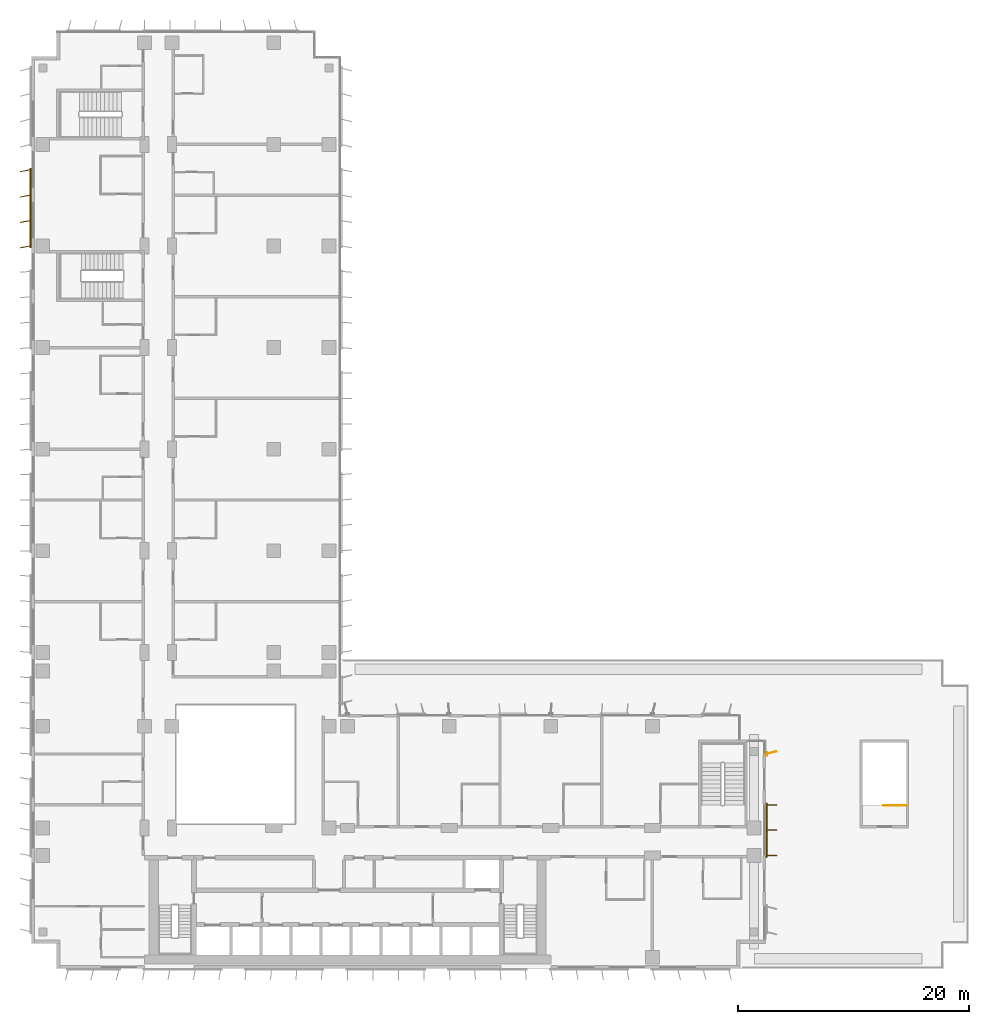
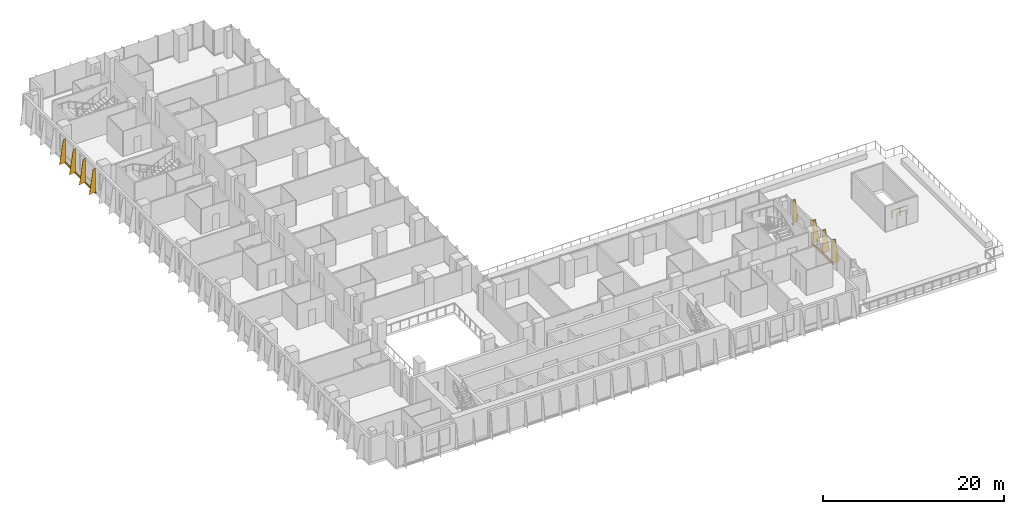
# One storey, part 26 of 27: 3 shading devices, 1 railing.
"""IFC4 building model written with IfcOpenShell, lengths in metres."""

from ifc_helpers import new_model, si_unit, direction, frame, origin, origin_2d, place, context, subcontext, project, spatial, polyline, rectangle, circle, outline, extrude, source, transform, mapped, material, layer, layer_set, type_object, element, save


model = new_model("IFC4")

# Units and contexts
model_context = context("Model", 3, precision=1e-05, world=origin(), true_north=direction((0.0, 1.0)))
body_context = subcontext(model_context, "Body", "Model", "MODEL_VIEW")
ifc_project = project(units=[si_unit("LENGTHUNIT", "METRE"), si_unit("AREAUNIT", "SQUARE_METRE"), si_unit("VOLUMEUNIT", "CUBIC_METRE"), si_unit("PLANEANGLEUNIT", "RADIAN"), si_unit("MASSUNIT", "GRAM", prefix="KILO")], contexts=[model_context])

# Site, building, storey
site_placement = place(None, origin())
site = spatial("IfcSite", under=ifc_project, at=site_placement, CompositionType="ELEMENT")
building_placement = place(site_placement, origin())
building = spatial("IfcBuilding", under=site, at=building_placement, Name="Kemantara Hotel Tower", CompositionType="ELEMENT")
storey_placement = place(building_placement, frame((0.0, 0.0, 83.39990234375)))
storey = spatial("IfcBuildingStorey", under=building, at=storey_placement, Name="L19", CompositionType="ELEMENT", Elevation=83.39990234375)

# Railing
ifc_material_1 = material(Name="Stainless steel balustrade", Category="steel")
railing_type = type_object("IfcRailingType", Name="Stair guard 1100 mm", PredefinedType="GUARDRAIL", material=ifc_material_1)
railing_placement = place(storey_placement, frame((75.800048828125, 14.14990234375, 0.0)))
element("IfcRailing", 1, at=railing_placement, inside=storey, type_object=railing_type, Name="L19 ST5 top well guard 1", PredefinedType="GUARDRAIL", context=body_context, shape_type="SweptSolid", body=[
    extrude(circle(Radius=0.02392578125, at=origin_2d()), frame((0.0, 0.0, 1.076171875), z_axis=(-1.0, 0.0, 0.0), x_axis=(0.0, -1.0, 0.0)), (0.0, 0.0, 1.0), 2.0),
    extrude(circle(Radius=0.02099609375, at=origin_2d()), origin(), (0.0, 0.0, 1.0), 1.052001953125),
    extrude(circle(Radius=0.02099609375, at=origin_2d()), frame((-1.0, 0.0, 0.0)), (0.0, 0.0, 1.0), 1.052001953125),
    extrude(circle(Radius=0.02099609375, at=origin_2d()), frame((-2.0, 0.0, 0.0)), (0.0, 0.0, 1.0), 1.052001953125),
])

# Shading devices
ifc_material_2 = material(Name="Perforated aluminium plate 4 mm bronze anodised", Category="aluminium")
ifc_layer_1 = layer(ifc_material_2, 0.0400390625)
ifc_layer_set_1 = layer_set([ifc_layer_1], Name="Perforated aluminium plate 4 mm bronze anodised")
shading_device_type_1 = type_object("IfcShadingDeviceType", Name="SCREEN FIN CASSETTE, 4 BLADES AT +10.0 DEG, 3200 HIGH", PredefinedType="USERDEFINED", material=ifc_layer_set_1)
shared_shape_1 = source(origin(), body_context, "Body", "SweptSolid", [
    extrude(rectangle(XDim=6.89990234375, YDim=0.14990234375, at=origin_2d()), frame((3.300048828125, -0.074951171875, -0.14990234375), z_axis=(0.0, 0.0, 1.0), x_axis=(1.0, 0.0, 0.0)), (0.0, 0.0, 1.0), 0.14990234375),
    extrude(outline(polyline([(0.0, 0.0), (0.89990234375, 0.0), (0.35009765625, 3.199951171875), (0.0, 3.199951171875), (0.0, 0.0)])), frame((0.019775390625, -0.071533203125, 0.0), z_axis=(-0.985389793052, -0.170314285219, 0.0), x_axis=(0.170314285219, -0.985389793052, 0.0)), (0.0, 0.0, 1.0), 0.0400390625),
    extrude(outline(polyline([(0.0, 0.0), (0.89990234375, 0.0), (0.35009765625, 3.199951171875), (0.0, 3.199951171875), (0.0, 0.0)])), frame((2.2197265625, -0.071533203125, 0.0), z_axis=(-0.98521175482, -0.171341174751, 0.0), x_axis=(0.171341174751, -0.98521175482, 0.0)), (0.0, 0.0, 1.0), 0.039794921875),
    extrude(outline(polyline([(0.0, 0.0), (0.89990234375, 0.0), (0.35009765625, 3.199951171875), (0.0, 3.199951171875), (0.0, 0.0)])), frame((4.419677734375, -0.071533203125, 0.0), z_axis=(-0.98521175482, -0.171341174751, 0.0), x_axis=(0.171341174751, -0.98521175482, 0.0)), (0.0, 0.0, 1.0), 0.039794921875),
    extrude(outline(polyline([(0.0, 0.0), (0.89990234375, 0.0), (0.35009765625, 3.199951171875), (0.0, 3.199951171875), (0.0, 0.0)])), frame((6.61962890625, -0.071533203125, 0.0), z_axis=(-0.98521175482, -0.171341174751, 0.0), x_axis=(0.171341174751, -0.98521175482, 0.0)), (0.0, 0.0, 1.0), 0.039794921875),
])
shading_device_1_placement = place(storey_placement, frame((0.0, 69.199951171875, 0.10009765625), z_axis=(0.0, 0.0, 1.0), x_axis=(0.0, -1.0, 0.0)))
element("IfcShadingDevice", 2, at=shading_device_1_placement, inside=storey, type_object=shading_device_type_1, Name="SCREEN FIN CASSETTE L19 T2-R04-2", ObjectType="SCREEN FIN", PredefinedType="USERDEFINED", context=body_context, shape_type="MappedRepresentation", body=[
    mapped(shared_shape_1, transform((0.0, 0.0, 0.0))),
])
ifc_layer_2 = layer(ifc_material_2, 0.0400390625)
ifc_layer_set_2 = layer_set([ifc_layer_2], Name="Perforated aluminium plate 4 mm bronze anodised")
shading_device_type_2 = type_object("IfcShadingDeviceType", Name="SCREEN FIN CASSETTE, 1 BLADE AT +15.0 DEG, 3150 HIGH", PredefinedType="USERDEFINED", material=ifc_layer_set_2)
shared_shape_2 = source(origin(), body_context, "Body", "SweptSolid", [
    extrude(rectangle(XDim=0.300048828125, YDim=0.14990234375, at=origin_2d()), frame((0.0, -0.074951171875, -0.14990234375), z_axis=(0.0, 0.0, 1.0), x_axis=(1.0, 0.0, 0.0)), (0.0, 0.0, 1.0), 0.14990234375),
    extrude(outline(polyline([(0.0, 0.0), (0.89990234375, 0.0), (0.35009765625, 3.14990234375), (0.0, 3.14990234375), (0.0, 0.0)])), frame((0.019287109375, -0.06982421875, 0.0), z_axis=(-0.966437683387, -0.256901156343, 0.0), x_axis=(0.256901156343, -0.966437683387, 0.0)), (0.0, 0.0, 1.0), 0.039794921875),
])
shading_device_2_placement = place(storey_placement, frame((63.60009765625, 18.60009765625, 0.150146484375), z_axis=(0.0, 0.0, 1.0), x_axis=(0.0, 1.0, 0.0)))
element("IfcShadingDevice", 3, at=shading_device_2_placement, inside=storey, type_object=shading_device_type_2, Name="SCREEN FIN CASSETTE L19 T2-R10-3", ObjectType="SCREEN FIN", PredefinedType="USERDEFINED", context=body_context, shape_type="MappedRepresentation", body=[
    mapped(shared_shape_2, transform((0.0, 0.0, 0.0))),
])
ifc_layer_3 = layer(ifc_material_2, 0.0400390625)
ifc_layer_set_3 = layer_set([ifc_layer_3], Name="Perforated aluminium plate 4 mm bronze anodised")
shading_device_type_3 = type_object("IfcShadingDeviceType", Name="SCREEN FIN CASSETTE, 3 BLADES AT +0.0 DEG, 3150 HIGH", PredefinedType="USERDEFINED", material=ifc_layer_set_3)
shared_shape_3 = source(origin(), body_context, "Body", "SweptSolid", [
    extrude(rectangle(XDim=4.699951171875, YDim=0.14990234375, at=origin_2d()), frame((2.199951171875, -0.074951171875, -0.14990234375), z_axis=(0.0, 0.0, 1.0), x_axis=(1.0, 0.0, 0.0)), (0.0, 0.0, 1.0), 0.14990234375),
    extrude(outline(polyline([(0.0, 0.0), (0.89990234375, 0.0), (0.35009765625, 3.14990234375), (0.0, 3.14990234375), (0.0, 0.0)])), frame((0.02001953125, -0.074951171875, 0.0), z_axis=(-1.0, 0.0, 0.0), x_axis=(0.0, -1.0, 0.0)), (0.0, 0.0, 1.0), 0.0400390625),
    extrude(outline(polyline([(0.0, 0.0), (0.89990234375, 0.0), (0.35009765625, 3.14990234375), (0.0, 3.14990234375), (0.0, 0.0)])), frame((2.219970703125, -0.074951171875, 0.0), z_axis=(-1.0, 0.0, 0.0), x_axis=(0.0, -1.0, 0.0)), (0.0, 0.0, 1.0), 0.0400390625),
    extrude(outline(polyline([(0.0, 0.0), (0.89990234375, 0.0), (0.35009765625, 3.14990234375), (0.0, 3.14990234375), (0.0, 0.0)])), frame((4.419921875, -0.074951171875, 0.0), z_axis=(-1.0, 0.0, 0.0), x_axis=(0.0, -1.0, 0.0)), (0.0, 0.0, 1.0), 0.0400390625),
])
shading_device_3_placement = place(storey_placement, frame((63.60009765625, 9.800048828125, 0.150146484375), z_axis=(0.0, 0.0, 1.0), x_axis=(0.0, 1.0, 0.0)))
element("IfcShadingDevice", 4, at=shading_device_3_placement, inside=storey, type_object=shading_device_type_3, Name="SCREEN FIN CASSETTE L19 T2-R10-2", ObjectType="SCREEN FIN", PredefinedType="USERDEFINED", context=body_context, shape_type="MappedRepresentation", body=[
    mapped(shared_shape_3, transform((0.0, 0.0, 0.0))),
])

save(model, "model.ifc")
